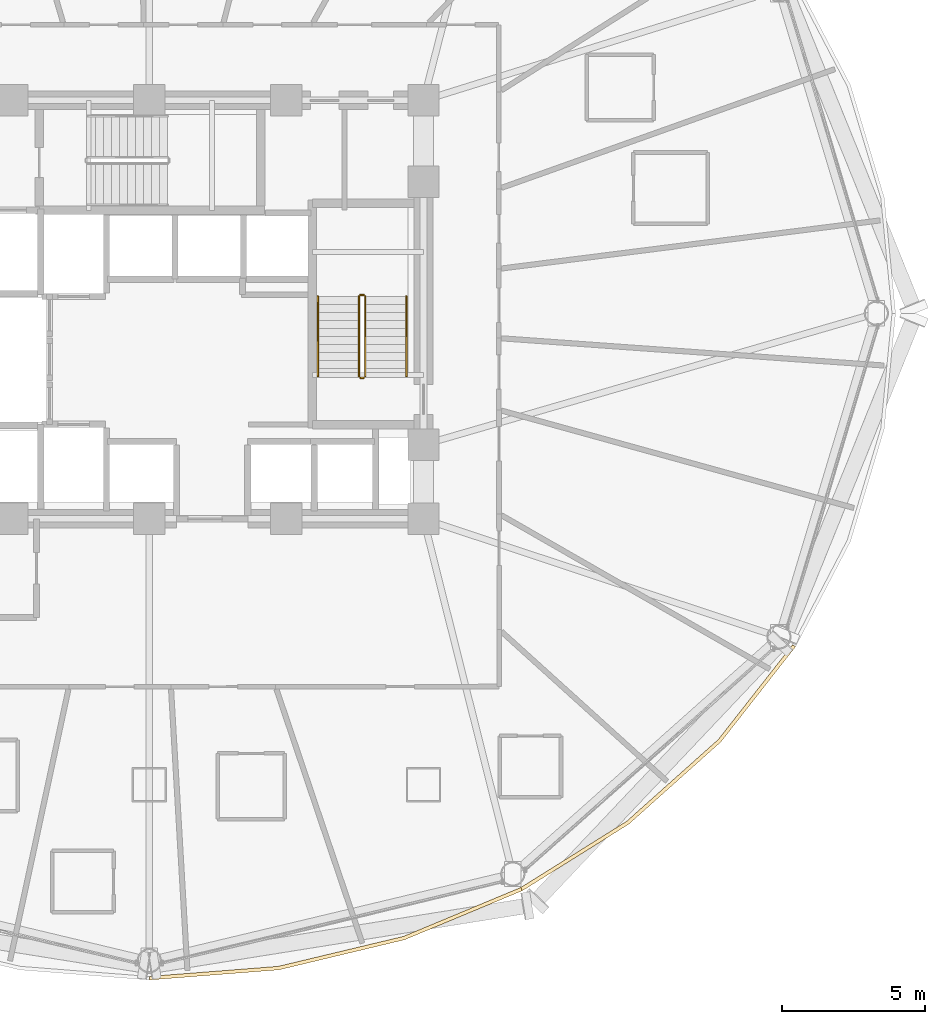
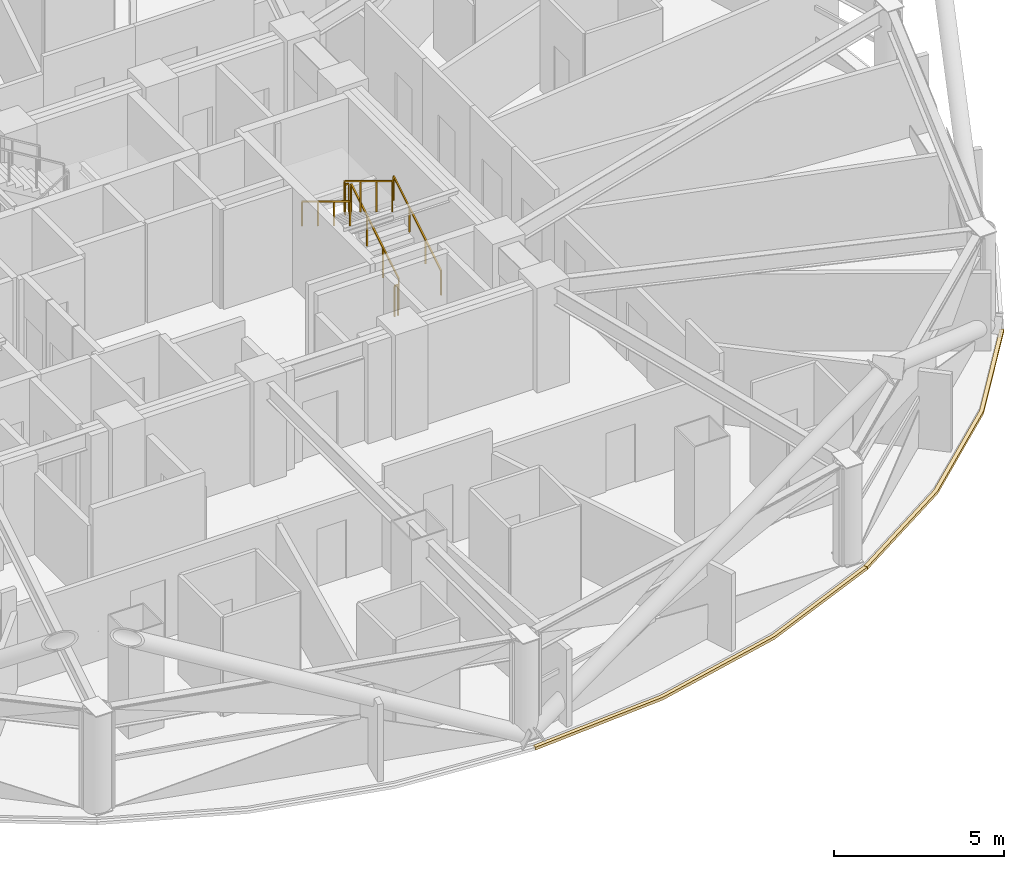
# One storey, part 30 of 31: 6 railings, 2 coverings.
"""IFC4 building model written with IfcOpenShell, lengths in metres."""

from ifc_helpers import new_model, si_unit, direction, frame, origin, origin_2d, place, context, subcontext, project, spatial, polyline, rectangle, outline, extrude, material, layer, layer_set, type_object, element, save


model = new_model("IFC4")

# Units and contexts
model_context = context("Model", 3, precision=1e-05, world=origin(), true_north=direction((0.0, 1.0)))
body_context = subcontext(model_context, "Body", "Model", "MODEL_VIEW")
ifc_project = project(units=[si_unit("LENGTHUNIT", "METRE"), si_unit("AREAUNIT", "SQUARE_METRE"), si_unit("VOLUMEUNIT", "CUBIC_METRE"), si_unit("PLANEANGLEUNIT", "RADIAN"), si_unit("MASSUNIT", "GRAM", prefix="KILO")], contexts=[model_context])

# Site, building, storey
site_placement = place(None, origin())
site = spatial("IfcSite", under=ifc_project, at=site_placement, CompositionType="ELEMENT")
building_placement = place(site_placement, origin())
building = spatial("IfcBuilding", under=site, at=building_placement, Name="Vantalir Tower", CompositionType="ELEMENT")
storey_placement = place(building_placement, frame((0.0, 0.0, 34.5)))
storey = spatial("IfcBuildingStorey", under=building, at=storey_placement, Name="L07", CompositionType="ELEMENT", Elevation=34.5)

# Coverings
ifc_material_1 = material(Name="Anodised champagne aluminium sill fascia", Category="aluminium")
ifc_layer = layer(ifc_material_1, 0.125)
ifc_layer_set = layer_set([ifc_layer], Name="Anodised champagne aluminium sill fascia")
covering_type = type_object("IfcCoveringType", Name="COV-SLAB-FASCIA-125", PredefinedType="CLADDING", material=ifc_layer_set)
covering_1_placement = place(storey_placement, frame((0.0, 0.0, -0.179931640625)))
element("IfcCovering", 1, at=covering_1_placement, inside=storey, type_object=covering_type, Name="L07 Perimeter Slab-Edge Sill Fascia 10", PredefinedType="CLADDING", context=body_context, shape_type="SweptSolid", body=[
    extrude(outline(polyline([(31.5, 1.660888671875), (36.037109375, 2.01611328125), (40.43505859375, 3.069091796875), (44.56298828125, 4.7880859375), (44.5, 4.89599609375), (40.39306640625, 3.18603515625), (36.014892578125, 2.138916015625), (31.5, 1.785888671875), (31.5, 1.660888671875)])), origin(), (0.0, 0.0, 1.0), 0.10498046875),
])
covering_2_placement = place(storey_placement, frame((0.0, 0.0, -0.179931640625)))
element("IfcCovering", 2, at=covering_2_placement, inside=storey, type_object=covering_type, Name="L07 Perimeter Slab-Edge Sill Fascia 11", PredefinedType="CLADDING", context=body_context, shape_type="SweptSolid", body=[
    extrude(outline(polyline([(44.56298828125, 4.7880859375), (48.29296875, 7.12109375), (51.512939453125, 9.998046875), (54.125, 13.330078125), (54.01708984375, 13.39306640625), (51.4169921875, 10.077880859375), (48.2119140625, 7.217041015625), (44.5, 4.89599609375), (44.56298828125, 4.7880859375)])), origin(), (0.0, 0.0, 1.0), 0.10498046875),
])

# Railings
ifc_material_2 = material(Name="Anodised aluminium and stainless steel guard", Category="steel")
railing_type_1 = type_object("IfcRailingType", Name="RAL-GUARD-1120", PredefinedType="GUARDRAIL", material=ifc_material_2)
railing_1_placement = place(storey_placement, frame((39.06005859375, 22.7900390625, 0.17041015625)))
element("IfcRailing", 3, at=railing_1_placement, inside=storey, type_object=railing_type_1, Name="L07 ST2 stair guard 1", PredefinedType="GUARDRAIL", context=body_context, shape_type="SweptSolid", body=[
    extrude(rectangle(XDim=0.048095703125, YDim=0.048095703125, at=origin_2d()), frame((0.0, 0.0, 1.09619140625), z_axis=(0.0, 0.854169791009, 0.51999420009), x_axis=(-1.0, 0.0, 0.0)), (0.0, 0.0, 1.0), 3.278076171875),
    extrude(rectangle(XDim=0.0419921875, YDim=0.0419921875, at=origin_2d()), origin(), (0.0, 0.0, 1.0), 1.072021484375),
    extrude(rectangle(XDim=0.0419921875, YDim=0.0419921875, at=origin_2d()), frame((0.0, 0.933349609375, 0.568115234375)), (0.0, 0.0, 1.0), 1.072021484375),
    extrude(rectangle(XDim=0.0419921875, YDim=0.0419921875, at=origin_2d()), frame((0.0, 1.86669921875, 1.136474609375)), (0.0, 0.0, 1.0), 1.072021484375),
    extrude(rectangle(XDim=0.0419921875, YDim=0.0419921875, at=origin_2d()), frame((0.0, 2.800048828125, 1.70458984375)), (0.0, 0.0, 1.0), 1.072021484375),
])
railing_2_placement = place(storey_placement, frame((39.010009765625, 25.639892578125, 1.875)))
element("IfcRailing", 4, at=railing_2_placement, inside=storey, type_object=railing_type_1, Name="L07 ST2 stair guard 2", PredefinedType="GUARDRAIL", context=body_context, shape_type="SweptSolid", body=[
    extrude(rectangle(XDim=0.048095703125, YDim=0.048095703125, at=origin_2d()), frame((0.0, 0.0, 1.09619140625), z_axis=(-1.0, 0.0, 0.0), x_axis=(0.0, -1.0, 0.0)), (0.0, 0.0, 1.0), 0.1201171875),
    extrude(rectangle(XDim=0.0419921875, YDim=0.0419921875, at=origin_2d()), origin(), (0.0, 0.0, 1.0), 1.072021484375),
    extrude(rectangle(XDim=0.0419921875, YDim=0.0419921875, at=origin_2d()), frame((-0.1201171875, 0.0, 0.0)), (0.0, 0.0, 1.0), 1.072021484375),
])
railing_3_placement = place(storey_placement, frame((38.840087890625, 25.590087890625, 2.04541015625)))
element("IfcRailing", 5, at=railing_3_placement, inside=storey, type_object=railing_type_1, Name="L07 ST2 stair guard 3", PredefinedType="GUARDRAIL", context=body_context, shape_type="SweptSolid", body=[
    extrude(rectangle(XDim=0.048095703125, YDim=0.048095703125, at=origin_2d()), frame((0.0, 0.0, 1.09619140625), z_axis=(0.0, -0.854169791009, 0.51999420009), x_axis=(1.0, 0.0, 0.0)), (0.0, 0.0, 1.0), 3.278076171875),
    extrude(rectangle(XDim=0.0419921875, YDim=0.0419921875, at=origin_2d()), origin(), (0.0, 0.0, 1.0), 1.072021484375),
    extrude(rectangle(XDim=0.0419921875, YDim=0.0419921875, at=origin_2d()), frame((0.0, -0.933349609375, 0.568115234375)), (0.0, 0.0, 1.0), 1.072021484375),
    extrude(rectangle(XDim=0.0419921875, YDim=0.0419921875, at=origin_2d()), frame((0.0, -1.86669921875, 1.136474609375)), (0.0, 0.0, 1.0), 1.072021484375),
    extrude(rectangle(XDim=0.0419921875, YDim=0.0419921875, at=origin_2d()), frame((0.0, -2.800048828125, 1.70458984375)), (0.0, 0.0, 1.0), 1.072021484375),
])
railing_4_placement = place(storey_placement, frame((39.010009765625, 22.739990234375, 0.0)))
element("IfcRailing", 6, at=railing_4_placement, inside=storey, type_object=railing_type_1, Name="L07 ST2 stair guard 4", PredefinedType="GUARDRAIL", context=body_context, shape_type="SweptSolid", body=[
    extrude(rectangle(XDim=0.048095703125, YDim=0.048095703125, at=origin_2d()), frame((0.0, 0.0, 1.09619140625), z_axis=(-1.0, 0.0, 0.0), x_axis=(0.0, -1.0, 0.0)), (0.0, 0.0, 1.0), 0.1201171875),
    extrude(rectangle(XDim=0.0419921875, YDim=0.0419921875, at=origin_2d()), origin(), (0.0, 0.0, 1.0), 1.072021484375),
    extrude(rectangle(XDim=0.0419921875, YDim=0.0419921875, at=origin_2d()), frame((-0.1201171875, 0.0, 0.0)), (0.0, 0.0, 1.0), 1.072021484375),
])
ifc_material_3 = material(Name="Brushed stainless steel tubular handrail", Category="steel")
railing_type_2 = type_object("IfcRailingType", Name="RAL-HANDRAIL-900", PredefinedType="HANDRAIL", material=ifc_material_3)
railing_5_placement = place(storey_placement, frame((40.5, 22.7900390625, 0.17041015625)))
element("IfcRailing", 7, at=railing_5_placement, inside=storey, type_object=railing_type_2, Name="L07 ST2 stair handrail 1", PredefinedType="HANDRAIL", context=body_context, shape_type="SweptSolid", body=[
    extrude(rectangle(XDim=0.048095703125, YDim=0.048095703125, at=origin_2d()), frame((0.0, 0.0, 0.8759765625), z_axis=(0.0, 0.854169791009, 0.51999420009), x_axis=(-1.0, 0.0, 0.0)), (0.0, 0.0, 1.0), 3.278076171875),
    extrude(rectangle(XDim=0.0419921875, YDim=0.0419921875, at=origin_2d()), origin(), (0.0, 0.0, 1.0), 0.851806640625),
    extrude(rectangle(XDim=0.0419921875, YDim=0.0419921875, at=origin_2d()), frame((0.0, 0.933349609375, 0.568115234375)), (0.0, 0.0, 1.0), 0.851806640625),
    extrude(rectangle(XDim=0.0419921875, YDim=0.0419921875, at=origin_2d()), frame((0.0, 1.86669921875, 1.136474609375)), (0.0, 0.0, 1.0), 0.851806640625),
    extrude(rectangle(XDim=0.0419921875, YDim=0.0419921875, at=origin_2d()), frame((0.0, 2.800048828125, 1.70458984375)), (0.0, 0.0, 1.0), 0.851806640625),
])
railing_6_placement = place(storey_placement, frame((37.39990234375, 25.590087890625, 2.04541015625)))
element("IfcRailing", 8, at=railing_6_placement, inside=storey, type_object=railing_type_2, Name="L07 ST2 stair handrail 2", PredefinedType="HANDRAIL", context=body_context, shape_type="SweptSolid", body=[
    extrude(rectangle(XDim=0.048095703125, YDim=0.048095703125, at=origin_2d()), frame((0.0, 0.0, 0.8759765625), z_axis=(0.0, -0.854169791009, 0.51999420009), x_axis=(1.0, 0.0, 0.0)), (0.0, 0.0, 1.0), 3.278076171875),
    extrude(rectangle(XDim=0.0419921875, YDim=0.0419921875, at=origin_2d()), origin(), (0.0, 0.0, 1.0), 0.851806640625),
    extrude(rectangle(XDim=0.0419921875, YDim=0.0419921875, at=origin_2d()), frame((0.0, -0.933349609375, 0.568115234375)), (0.0, 0.0, 1.0), 0.851806640625),
    extrude(rectangle(XDim=0.0419921875, YDim=0.0419921875, at=origin_2d()), frame((0.0, -1.86669921875, 1.136474609375)), (0.0, 0.0, 1.0), 0.851806640625),
    extrude(rectangle(XDim=0.0419921875, YDim=0.0419921875, at=origin_2d()), frame((0.0, -2.800048828125, 1.70458984375)), (0.0, 0.0, 1.0), 0.851806640625),
])

save(model, "model.ifc")
